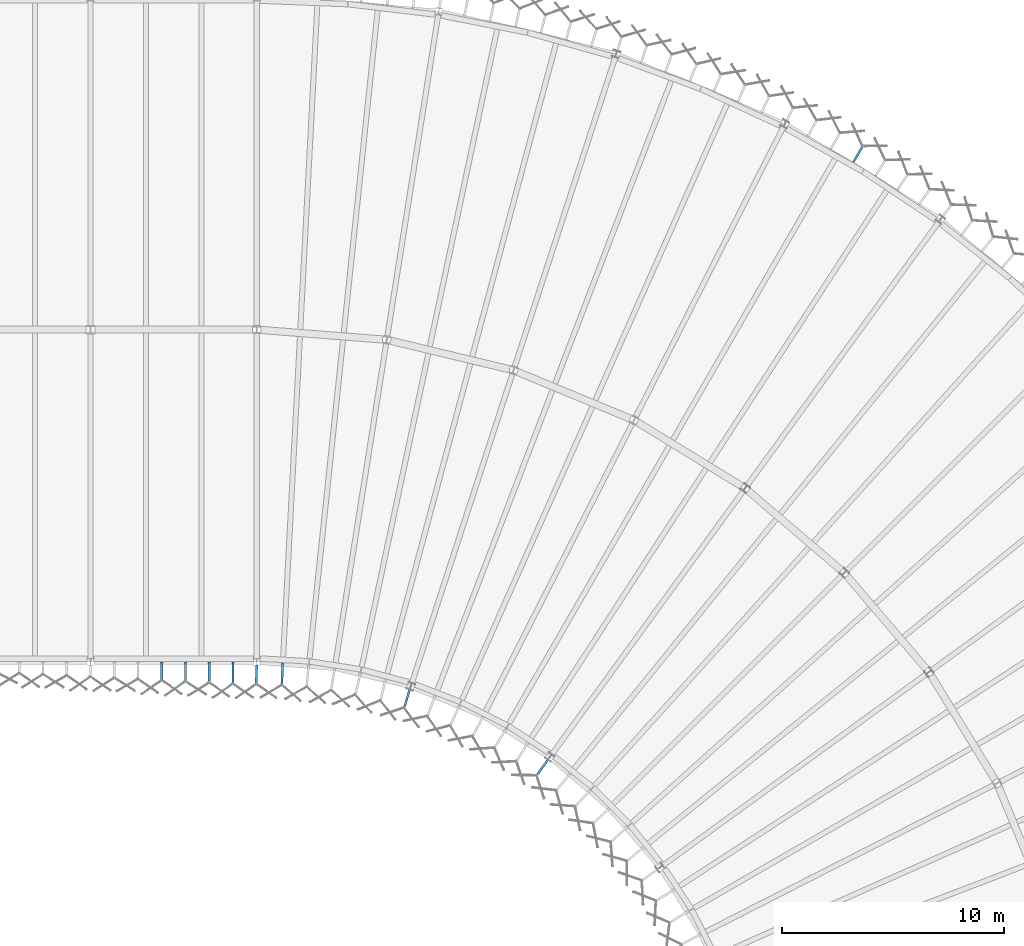
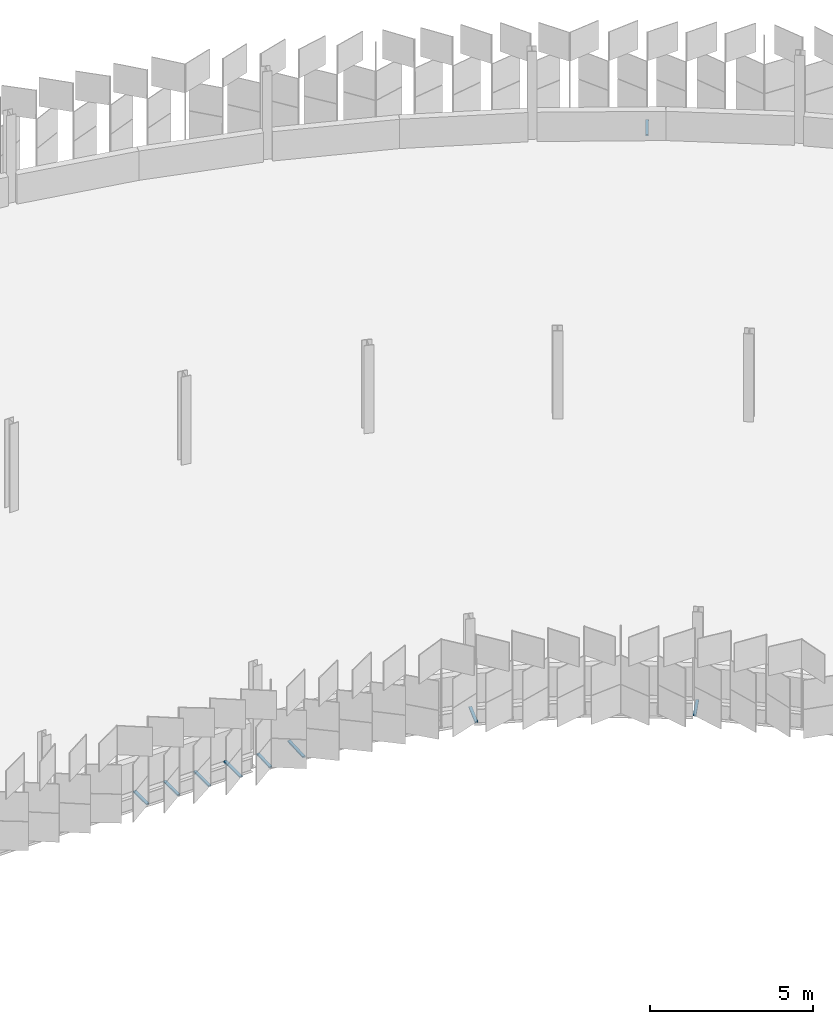
# One storey, part 171 of 198: 9 discrete accessories.
"""IFC4 building model written with IfcOpenShell, lengths in metres."""

from ifc_helpers import new_model, si_unit, direction, frame, origin, origin_2d, place, context, subcontext, project, spatial, rectangle, extrude, material, type_object, element, save


model = new_model("IFC4")

# Units and contexts
model_context = context("Model", 3, precision=1e-05, world=origin(), true_north=direction((0.0, 1.0)))
body_context = subcontext(model_context, "Body", "Model", "MODEL_VIEW")
ifc_project = project(units=[si_unit("LENGTHUNIT", "METRE"), si_unit("AREAUNIT", "SQUARE_METRE"), si_unit("VOLUMEUNIT", "CUBIC_METRE"), si_unit("PLANEANGLEUNIT", "RADIAN"), si_unit("MASSUNIT", "GRAM", prefix="KILO")], contexts=[model_context])

# Site, building, storey
site_placement = place(None, origin())
site = spatial("IfcSite", under=ifc_project, at=site_placement, CompositionType="ELEMENT")
building_placement = place(site_placement, origin())
building = spatial("IfcBuilding", under=site, at=building_placement, Name="Parallax Yard Mobility Hub", CompositionType="ELEMENT")
storey_placement = place(building_placement, frame((0.0, 0.0, 6.60009765625)))
storey = spatial("IfcBuildingStorey", under=building, at=storey_placement, Name="L02", CompositionType="ELEMENT", Elevation=6.60009765625)

# Discrete accessories
ifc_material = material(Name="Steel ASTM A36, hot-dip galvanised", Category="steel")
discrete_accessory_type = type_object("IfcDiscreteAccessoryType", Name="Hinge bracket plate 100x50", PredefinedType="BRACKET", material=ifc_material)
discrete_accessory_1_placement = place(storey_placement, frame((199.631591796875, 135.413330078125, -0.02490234375), z_axis=(0.0, 0.0, 1.0), x_axis=(0.504116180263, 0.863635847332, 0.0)))
element("IfcDiscreteAccessory", 1, at=discrete_accessory_1_placement, inside=storey, type_object=discrete_accessory_type, Name="Hinge bracket plate bay 47.5 level L02", PredefinedType="BRACKET", context=body_context, shape_type="SweptSolid", body=[
    extrude(rectangle(XDim=0.80810546875, YDim=0.10009765625, at=origin_2d()), origin(), (0.0, 0.0, 1.0), 0.050048828125),
])
discrete_accessory_2_placement = place(storey_placement, frame((168.208984375, 112.0966796875, -0.02490234375), z_axis=(0.0, 0.0, 1.0), x_axis=(0.0, -1.0, 0.0)))
element("IfcDiscreteAccessory", 2, at=discrete_accessory_2_placement, inside=storey, type_object=discrete_accessory_type, Name="Hinge bracket plate bay 17.4 level L02", PredefinedType="BRACKET", context=body_context, shape_type="SweptSolid", body=[
    extrude(rectangle(XDim=0.807373046875, YDim=0.10009765625, at=origin_2d()), origin(), (0.0, 0.0, 1.0), 0.050048828125),
])
discrete_accessory_3_placement = place(storey_placement, frame((169.280517578125, 112.070068359375, -0.02490234375), z_axis=(0.0, 0.0, 1.0), x_axis=(0.0, -1.0, 0.0)))
element("IfcDiscreteAccessory", 3, at=discrete_accessory_3_placement, inside=storey, type_object=discrete_accessory_type, Name="Hinge bracket plate bay 17.5 level L02", PredefinedType="BRACKET", context=body_context, shape_type="SweptSolid", body=[
    extrude(rectangle(XDim=0.86083984375, YDim=0.10009765625, at=origin_2d()), origin(), (0.0, 0.0, 1.0), 0.050048828125),
])
discrete_accessory_4_placement = place(storey_placement, frame((170.35205078125, 112.043212890625, -0.02490234375), z_axis=(0.0, 0.0, 1.0), x_axis=(0.0, -1.0, 0.0)))
element("IfcDiscreteAccessory", 4, at=discrete_accessory_4_placement, inside=storey, type_object=discrete_accessory_type, Name="Hinge bracket plate bay 17.6 level L02", PredefinedType="BRACKET", context=body_context, shape_type="SweptSolid", body=[
    extrude(rectangle(XDim=0.91455078125, YDim=0.10009765625, at=origin_2d()), origin(), (0.0, 0.0, 1.0), 0.050048828125),
])
discrete_accessory_5_placement = place(storey_placement, frame((171.423583984375, 112.0166015625, -0.02490234375), z_axis=(0.0, 0.0, 1.0), x_axis=(0.0, -1.0, 0.0)))
element("IfcDiscreteAccessory", 5, at=discrete_accessory_5_placement, inside=storey, type_object=discrete_accessory_type, Name="Hinge bracket plate bay 17.7 level L02", PredefinedType="BRACKET", context=body_context, shape_type="SweptSolid", body=[
    extrude(rectangle(XDim=0.968017578125, YDim=0.10009765625, at=origin_2d()), origin(), (0.0, 0.0, 1.0), 0.050048828125),
])
discrete_accessory_6_placement = place(storey_placement, frame((172.486083984375, 111.929443359375, -0.02490234375), z_axis=(0.0, 0.0, 1.0), x_axis=(-0.032719082822, -0.999464587476, 0.0)))
element("IfcDiscreteAccessory", 6, at=discrete_accessory_6_placement, inside=storey, type_object=discrete_accessory_type, Name="Hinge bracket plate bay 18.1 level L02", PredefinedType="BRACKET", context=body_context, shape_type="SweptSolid", body=[
    extrude(rectangle(XDim=0.82568359375, YDim=0.10009765625, at=origin_2d()), origin(), (0.0, 0.0, 1.0), 0.050048828125),
])
discrete_accessory_7_placement = place(storey_placement, frame((173.651123046875, 111.970458984375, -0.02490234375), z_axis=(0.0, 0.0, 1.0), x_axis=(-0.032719082822, -0.999464587476, 0.0)))
element("IfcDiscreteAccessory", 7, at=discrete_accessory_7_placement, inside=storey, type_object=discrete_accessory_type, Name="Hinge bracket plate bay 18.2 level L02", PredefinedType="BRACKET", context=body_context, shape_type="SweptSolid", body=[
    extrude(rectangle(XDim=0.984130859375, YDim=0.10009765625, at=origin_2d()), origin(), (0.0, 0.0, 1.0), 0.050048828125),
])
discrete_accessory_8_placement = place(storey_placement, frame((179.279296875, 110.847900390625, -0.02490234375), z_axis=(0.0, 0.0, 1.0), x_axis=(-0.290284677254, -0.956940335732, 0.0)))
element("IfcDiscreteAccessory", 8, at=discrete_accessory_8_placement, inside=storey, type_object=discrete_accessory_type, Name="Hinge bracket plate bay 19.1 level L02", PredefinedType="BRACKET", context=body_context, shape_type="SweptSolid", body=[
    extrude(rectangle(XDim=0.82763671875, YDim=0.10009765625, at=origin_2d()), origin(), (0.0, 0.0, 1.0), 0.050048828125),
])
discrete_accessory_9_placement = place(storey_placement, frame((185.3857421875, 107.732177734375, -0.02490234375), z_axis=(0.0, 0.0, 1.0), x_axis=(-0.582477696868, -0.812846684592, 0.0)))
element("IfcDiscreteAccessory", 9, at=discrete_accessory_9_placement, inside=storey, type_object=discrete_accessory_type, Name="Hinge bracket plate bay 20.1 level L02", PredefinedType="BRACKET", context=body_context, shape_type="SweptSolid", body=[
    extrude(rectangle(XDim=0.82958984375, YDim=0.10009765625, at=origin_2d()), origin(), (0.0, 0.0, 1.0), 0.050048828125),
])

save(model, "model.ifc")
